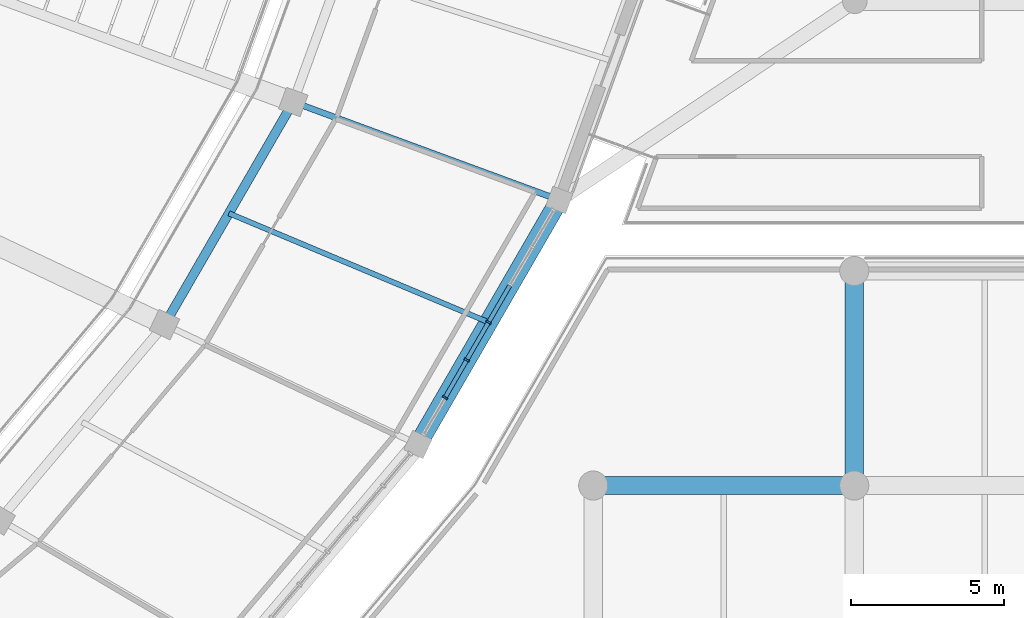
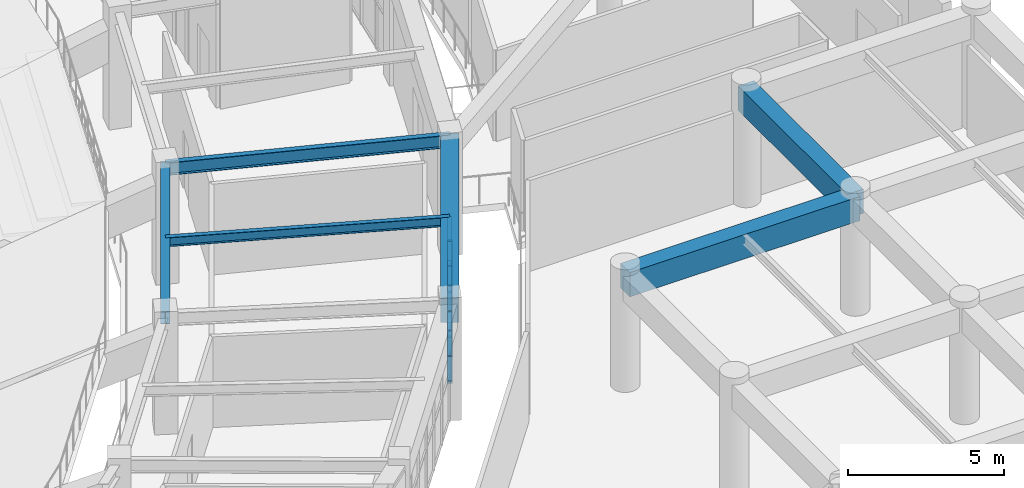
# One storey, part 41 of 137: 12 members, 6 beams, 1 element without a shape of its own.
"""IFC4 building model written with IfcOpenShell, lengths in metres."""

from ifc_helpers import new_model, si_unit, direction, frame, origin, origin_2d, place, context, subcontext, project, spatial, rectangle, i_section, extrude, material, layer, layer_set, material_profile, profile_set, type_object, element, aggregate, save


model = new_model("IFC4")

# Units and contexts
model_context = context("Model", 3, precision=1e-05, world=origin(), true_north=direction((0.0, 1.0)))
body_context = subcontext(model_context, "Body", "Model", "MODEL_VIEW")
ifc_project = project(units=[si_unit("LENGTHUNIT", "METRE"), si_unit("AREAUNIT", "SQUARE_METRE"), si_unit("VOLUMEUNIT", "CUBIC_METRE"), si_unit("PLANEANGLEUNIT", "RADIAN"), si_unit("MASSUNIT", "GRAM", prefix="KILO")], contexts=[model_context])

# Site, building, storey
site_placement = place(None, origin())
site = spatial("IfcSite", under=ifc_project, at=site_placement, CompositionType="ELEMENT")
building_placement = place(site_placement, origin())
building = spatial("IfcBuilding", under=site, at=building_placement, Name="Mphavela Belvedere Stadium", CompositionType="ELEMENT")
storey_placement = place(building_placement, frame((0.0, 0.0, 19.199951171875)))
storey = spatial("IfcBuildingStorey", under=building, at=storey_placement, Name="L04", CompositionType="ELEMENT", Elevation=19.199951171875)

# Beams
ifc_material_1 = material(Name="Concrete C40/50", Category="concrete")
ifc_material_profile_1 = material_profile(ifc_material_1, rectangle(XDim=0.60009765625, YDim=0.949951171875, at=origin_2d()), Name="RC 600x950")
ifc_profile_set_1 = profile_set([ifc_material_profile_1], Name="Concrete C40/50")
beam_type_1 = type_object("IfcBeamType", Name="BM-ENTABLATURE-950", PredefinedType="SPANDREL", material=ifc_profile_set_1)
beam_1_placement = place(storey_placement, frame((207.242431640625, 43.33837890625, 4.074951171875), z_axis=(0.500565297122, 0.865698783248, 0.0), x_axis=(-0.865698783248, 0.500565297122, 0.0)))
element("IfcBeam", 1, at=beam_1_placement, inside=storey, type_object=beam_type_1, Name="Circumferential girder L04 R4-45", PredefinedType="SPANDREL", context=body_context, shape_type="SweptSolid", body=[
    extrude(rectangle(XDim=0.60009765625, YDim=0.949951171875, at=origin_2d()), origin(), (0.0, 0.0, 1.0), 9.217041015625),
])
beam_2_placement = place(storey_placement, frame((212.962890625, 42.0, 4.06494140625), z_axis=(1.0, 0.0, 0.0), x_axis=(0.0, 1.0, 0.0)))
element("IfcBeam", 2, at=beam_2_placement, inside=storey, type_object=beam_type_1, Name="South Axial Triumphal Peristyle Portico entablature beam X L04 26-7", PredefinedType="SPANDREL", context=body_context, shape_type="SweptSolid", body=[
    extrude(rectangle(XDim=0.60009765625, YDim=0.949951171875, at=origin_2d()), origin(), (0.0, 0.0, 1.0), 8.51806640625),
])
beam_3_placement = place(storey_placement, frame((221.48095703125, 42.0, 4.06494140625), z_axis=(0.0, 1.0, 0.0), x_axis=(-1.0, 0.0, 0.0)))
element("IfcBeam", 3, at=beam_3_placement, inside=storey, type_object=beam_type_1, Name="South Axial Triumphal Peristyle Portico entablature beam Y L04 27-7", PredefinedType="SPANDREL", context=body_context, shape_type="SweptSolid", body=[
    extrude(rectangle(XDim=0.60009765625, YDim=0.949951171875, at=origin_2d()), origin(), (0.0, 0.0, 1.0), 7.0),
])
ifc_material_2 = material(Name="Steel S355", Category="steel")
ifc_material_profile_2 = material_profile(ifc_material_2, i_section(OverallWidth=0.169921875, OverallDepth=0.360107421875, WebThickness=0.008056640625, FlangeThickness=0.0126953125, at=origin_2d()), Name="IPE 360")
ifc_profile_set_2 = profile_set([ifc_material_profile_2], Name="Steel S355")
beam_type_2 = type_object("IfcBeamType", Name="BM-JOIST-IPE360", PredefinedType="JOIST", material=ifc_profile_set_2)
beam_4_placement = place(storey_placement, frame((201.07568359375, 50.8837890625, 4.3701171875), z_axis=(0.922108778612, -0.386930743682, 0.0), x_axis=(0.386930743682, 0.922108778612, 0.0)))
element("IfcBeam", 4, at=beam_4_placement, inside=storey, type_object=beam_type_2, Name="Concourse floor joist L04-45", PredefinedType="JOIST", context=body_context, shape_type="SweptSolid", body=[
    extrude(i_section(OverallWidth=0.169921875, OverallDepth=0.360107421875, WebThickness=0.008056640625, FlangeThickness=0.0126953125, at=origin_2d()), origin(), (0.0, 0.0, 1.0), 9.189453125),
])
ifc_material_3 = material(Name="Steel S355", Category="steel")
ifc_material_profile_3 = material_profile(ifc_material_3, i_section(OverallWidth=0.300048828125, OverallDepth=0.489990234375, WebThickness=0.011962890625, FlangeThickness=0.02294921875, at=origin_2d()), Name="HEA 500")
ifc_profile_set_3 = profile_set([ifc_material_profile_3], Name="Steel S355")
beam_type_3 = type_object("IfcBeamType", Name="BM-STEEL-HEA500", PredefinedType="BEAM", material=ifc_profile_set_3)
beam_5_placement = place(storey_placement, frame((198.9755859375, 47.251708984375, 4.304931640625), z_axis=(0.500547586322, 0.865709023765, 0.0), x_axis=(-0.865709023765, 0.500547586322, 0.0)))
element("IfcBeam", 5, at=beam_5_placement, inside=storey, type_object=beam_type_3, Name="Circumferential girder L04 R3-45", PredefinedType="BEAM", context=body_context, shape_type="SweptSolid", body=[
    extrude(i_section(OverallWidth=0.300048828125, OverallDepth=0.489990234375, WebThickness=0.011962890625, FlangeThickness=0.02294921875, at=origin_2d()), origin(), (0.0, 0.0, 1.0), 8.390625),
])
ifc_material_4 = material(Name="Steel S355", Category="steel")
ifc_material_profile_4 = material_profile(ifc_material_4, i_section(OverallWidth=0.199951171875, OverallDepth=0.5, WebThickness=0.01025390625, FlangeThickness=0.01611328125, at=origin_2d()), Name="IPE 500")
ifc_profile_set_4 = profile_set([ifc_material_profile_4], Name="Steel S355")
beam_type_4 = type_object("IfcBeamType", Name="BM-STEEL-IPE500", PredefinedType="BEAM", material=ifc_profile_set_4)
beam_6_placement = place(storey_placement, frame((203.175537109375, 54.515625, 4.300048828125), z_axis=(0.938348073025, -0.345691905967, 0.0), x_axis=(0.345691905967, 0.938348073025, 0.0)))
element("IfcBeam", 6, at=beam_6_placement, inside=storey, type_object=beam_type_4, Name="Radial concourse girder L04 R3R4-46", PredefinedType="BEAM", context=body_context, shape_type="SweptSolid", body=[
    extrude(i_section(OverallWidth=0.199951171875, OverallDepth=0.5, WebThickness=0.01025390625, FlangeThickness=0.01611328125, at=origin_2d()), origin(), (0.0, 0.0, 1.0), 9.2509765625),
])

# Curtain wall, members
ifc_material_5 = material(Name="Anodised bronze unitised curtain wall framing")
ifc_layer = layer(ifc_material_5, 0.18505859375)
ifc_layer_set = layer_set([ifc_layer], Name="Anodised bronze unitised curtain wall framing")
curtain_wall_type = type_object("IfcCurtainWallType", Name="CW-UNIT-02", PredefinedType="USERDEFINED", material=ifc_layer_set)
curtain_wall_placement = place(storey_placement, origin())
curtain_wall = element("IfcCurtainWall", 7, at=curtain_wall_placement, inside=storey, type_object=curtain_wall_type, Name="Belvedere colonnade curtain wall L04-45", ObjectType="UNITISED CURTAIN WALL", PredefinedType="USERDEFINED")
ifc_material_6 = material(Name="Anodised bronze extruded aluminium", Category="aluminium")
ifc_material_profile_5 = material_profile(ifc_material_6, rectangle(XDim=0.179931640625, YDim=0.06494140625, at=origin_2d()), Name="CW-MUL 180x65")
ifc_profile_set_5 = profile_set([ifc_material_profile_5], Name="Anodised bronze extruded aluminium")
member_type_1 = type_object("IfcMemberType", Name="CWM-180x65", PredefinedType="MULLION", material=ifc_profile_set_5)
member_1_placement = place(storey_placement, frame((208.127685546875, 44.869140625, 0.0), z_axis=(0.0, 0.0, 1.0), x_axis=(-0.865704159606, 0.500555998906, 0.0)))
member_1 = element("IfcMember", 8, at=member_1_placement, type_object=member_type_1, Name="CW-02 mullion 2", PredefinedType="MULLION", context=body_context, shape_type="SweptSolid", body=[
    extrude(rectangle(XDim=0.179931640625, YDim=0.06494140625, at=origin_2d()), origin(), (0.0, 0.0, 1.0), 3.570068359375),
])
member_2_placement = place(storey_placement, frame((208.83837890625, 46.0986328125, 0.0), z_axis=(0.0, 0.0, 1.0), x_axis=(-0.865704159606, 0.500555998906, 0.0)))
member_2 = element("IfcMember", 9, at=member_2_placement, type_object=member_type_1, Name="CW-02 mullion 3", PredefinedType="MULLION", context=body_context, shape_type="SweptSolid", body=[
    extrude(rectangle(XDim=0.179931640625, YDim=0.06494140625, at=origin_2d()), origin(), (0.0, 0.0, 1.0), 3.570068359375),
])
member_3_placement = place(storey_placement, frame((209.54931640625, 47.328125, 0.0), z_axis=(0.0, 0.0, 1.0), x_axis=(-0.865704159606, 0.500555998906, 0.0)))
member_3 = element("IfcMember", 10, at=member_3_placement, type_object=member_type_1, Name="CW-02 mullion 4", PredefinedType="MULLION", context=body_context, shape_type="SweptSolid", body=[
    extrude(rectangle(XDim=0.179931640625, YDim=0.06494140625, at=origin_2d()), origin(), (0.0, 0.0, 1.0), 3.570068359375),
])
ifc_material_7 = material(Name="Anodised bronze extruded aluminium", Category="aluminium")
ifc_material_profile_6 = material_profile(ifc_material_7, rectangle(XDim=0.139892578125, YDim=0.06005859375, at=origin_2d()), Name="CW-TRN 140x60")
ifc_profile_set_6 = profile_set([ifc_material_profile_6], Name="Anodised bronze extruded aluminium")
member_type_2 = type_object("IfcMemberType", Name="CWT-140x60", PredefinedType="USERDEFINED", material=ifc_profile_set_6)
member_4_placement = place(storey_placement, frame((208.143798828125, 44.8974609375, 0.030029296875), z_axis=(0.500652736362, 0.865648218143, 0.0), x_axis=(-0.865648218143, 0.500652736362, 0.0)))
member_4 = element("IfcMember", 11, at=member_4_placement, type_object=member_type_2, Name="CW-02 transom 2.1", ObjectType="TRANSOM", PredefinedType="USERDEFINED", context=body_context, shape_type="SweptSolid", body=[
    extrude(rectangle(XDim=0.139892578125, YDim=0.06005859375, at=origin_2d()), origin(), (0.0, 0.0, 1.0), 1.355224609375),
])
member_5_placement = place(storey_placement, frame((208.143798828125, 44.8974609375, 1.78515625), z_axis=(0.500652736362, 0.865648218143, 0.0), x_axis=(-0.865648218143, 0.500652736362, 0.0)))
member_5 = element("IfcMember", 12, at=member_5_placement, type_object=member_type_2, Name="CW-02 transom 2.2", ObjectType="TRANSOM", PredefinedType="USERDEFINED", context=body_context, shape_type="SweptSolid", body=[
    extrude(rectangle(XDim=0.139892578125, YDim=0.06005859375, at=origin_2d()), origin(), (0.0, 0.0, 1.0), 1.355224609375),
])
member_6_placement = place(storey_placement, frame((208.143798828125, 44.8974609375, 3.5400390625), z_axis=(0.500652736362, 0.865648218143, 0.0), x_axis=(-0.865648218143, 0.500652736362, 0.0)))
member_6 = element("IfcMember", 13, at=member_6_placement, type_object=member_type_2, Name="CW-02 transom 2.3", ObjectType="TRANSOM", PredefinedType="USERDEFINED", context=body_context, shape_type="SweptSolid", body=[
    extrude(rectangle(XDim=0.139892578125, YDim=0.06005859375, at=origin_2d()), origin(), (0.0, 0.0, 1.0), 1.355224609375),
])
member_7_placement = place(storey_placement, frame((208.854736328125, 46.126708984375, 0.030029296875), z_axis=(0.500439658564, 0.865771417948, 0.0), x_axis=(-0.865771417948, 0.500439658564, 0.0)))
member_7 = element("IfcMember", 14, at=member_7_placement, type_object=member_type_2, Name="CW-02 transom 3.1", ObjectType="TRANSOM", PredefinedType="USERDEFINED", context=body_context, shape_type="SweptSolid", body=[
    extrude(rectangle(XDim=0.139892578125, YDim=0.06005859375, at=origin_2d()), origin(), (0.0, 0.0, 1.0), 1.355224609375),
])
member_8_placement = place(storey_placement, frame((208.854736328125, 46.126708984375, 1.78515625), z_axis=(0.500439658564, 0.865771417948, 0.0), x_axis=(-0.865771417948, 0.500439658564, 0.0)))
member_8 = element("IfcMember", 15, at=member_8_placement, type_object=member_type_2, Name="CW-02 transom 3.2", ObjectType="TRANSOM", PredefinedType="USERDEFINED", context=body_context, shape_type="SweptSolid", body=[
    extrude(rectangle(XDim=0.139892578125, YDim=0.06005859375, at=origin_2d()), origin(), (0.0, 0.0, 1.0), 1.355224609375),
])
member_9_placement = place(storey_placement, frame((208.854736328125, 46.126708984375, 3.5400390625), z_axis=(0.500439658564, 0.865771417948, 0.0), x_axis=(-0.865771417948, 0.500439658564, 0.0)))
member_9 = element("IfcMember", 16, at=member_9_placement, type_object=member_type_2, Name="CW-02 transom 3.3", ObjectType="TRANSOM", PredefinedType="USERDEFINED", context=body_context, shape_type="SweptSolid", body=[
    extrude(rectangle(XDim=0.139892578125, YDim=0.06005859375, at=origin_2d()), origin(), (0.0, 0.0, 1.0), 1.355224609375),
])
member_10_placement = place(storey_placement, frame((209.565673828125, 47.356201171875, 0.030029296875), z_axis=(0.50051771898, 0.865726292189, 0.0), x_axis=(-0.865726292189, 0.50051771898, 0.0)))
member_10 = element("IfcMember", 17, at=member_10_placement, type_object=member_type_2, Name="CW-02 transom 4.1", ObjectType="TRANSOM", PredefinedType="USERDEFINED", context=body_context, shape_type="SweptSolid", body=[
    extrude(rectangle(XDim=0.139892578125, YDim=0.06005859375, at=origin_2d()), origin(), (0.0, 0.0, 1.0), 1.35498046875),
])
member_11_placement = place(storey_placement, frame((209.565673828125, 47.356201171875, 1.78515625), z_axis=(0.50051771898, 0.865726292189, 0.0), x_axis=(-0.865726292189, 0.50051771898, 0.0)))
member_11 = element("IfcMember", 18, at=member_11_placement, type_object=member_type_2, Name="CW-02 transom 4.2", ObjectType="TRANSOM", PredefinedType="USERDEFINED", context=body_context, shape_type="SweptSolid", body=[
    extrude(rectangle(XDim=0.139892578125, YDim=0.06005859375, at=origin_2d()), origin(), (0.0, 0.0, 1.0), 1.35498046875),
])
member_12_placement = place(storey_placement, frame((209.565673828125, 47.356201171875, 3.5400390625), z_axis=(0.50051771898, 0.865726292189, 0.0), x_axis=(-0.865726292189, 0.50051771898, 0.0)))
member_12 = element("IfcMember", 19, at=member_12_placement, type_object=member_type_2, Name="CW-02 transom 4.3", ObjectType="TRANSOM", PredefinedType="USERDEFINED", context=body_context, shape_type="SweptSolid", body=[
    extrude(rectangle(XDim=0.139892578125, YDim=0.06005859375, at=origin_2d()), origin(), (0.0, 0.0, 1.0), 1.35498046875),
])
aggregate(curtain_wall, [member_1, member_2, member_3, member_4, member_5, member_6, member_7, member_8, member_9, member_10, member_11, member_12])

save(model, "model.ifc")
